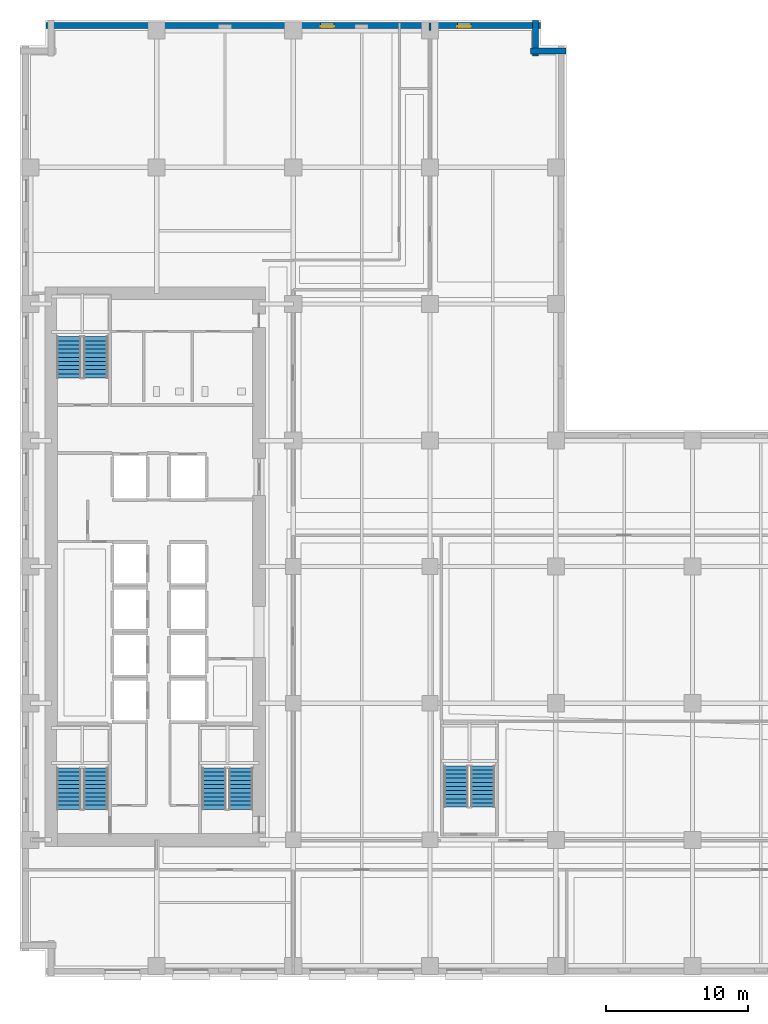
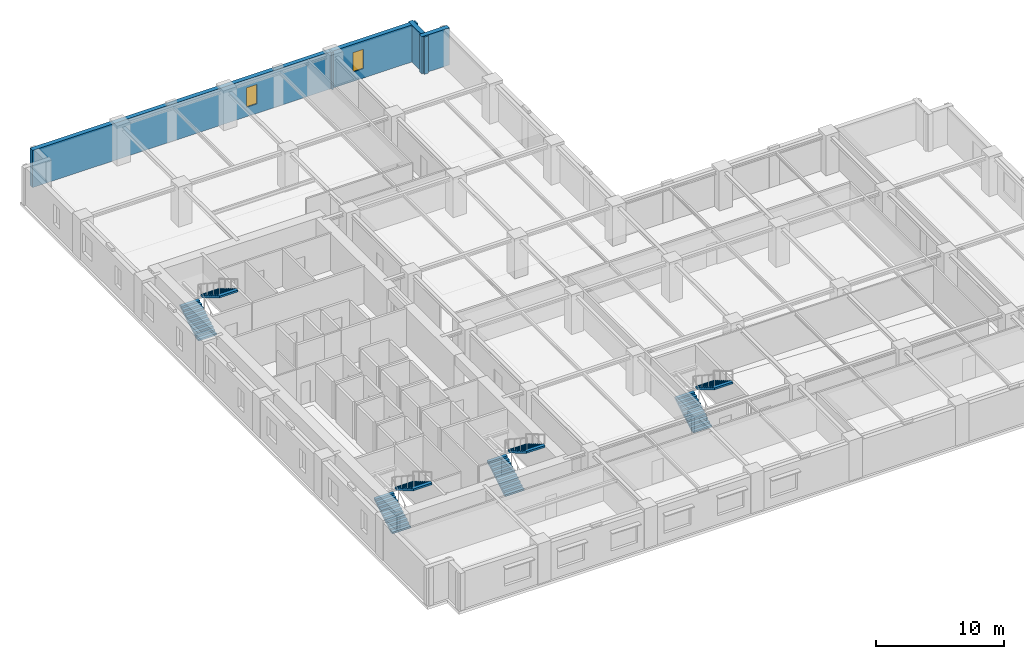
# One storey, part 9 of 14: 8 stair flights, 4 walls, 2 windows, 2 openings, 4 elements without a shape of their own.
"""IFC4 building model written with IfcOpenShell, lengths in metres."""

from ifc_helpers import new_model, si_unit, direction, frame, frame_2d, origin, place, context, subcontext, project, spatial, polyline, rectangle, outline, extrude, material, layer, layer_set, type_object, element, fill, aggregate, save


model = new_model("IFC4")

# Units and contexts
model_context = context("Model", 3, precision=1e-05, world=origin(), true_north=direction((0.0, 1.0)))
body_context = subcontext(model_context, "Body", "Model", "MODEL_VIEW")
ifc_project = project(units=[si_unit("LENGTHUNIT", "METRE"), si_unit("AREAUNIT", "SQUARE_METRE"), si_unit("VOLUMEUNIT", "CUBIC_METRE"), si_unit("PLANEANGLEUNIT", "RADIAN"), si_unit("MASSUNIT", "GRAM", prefix="KILO")], contexts=[model_context])

# Site, building, storey
site_placement = place(None, origin())
site = spatial("IfcSite", under=ifc_project, at=site_placement, CompositionType="ELEMENT")
building_placement = place(site_placement, origin())
building = spatial("IfcBuilding", under=site, at=building_placement, Name="Norrvale University Quadrangle", CompositionType="ELEMENT")
storey_placement = place(building_placement, frame((0.0, 0.0, 50.800048828125)))
storey = spatial("IfcBuildingStorey", under=building, at=storey_placement, Name="L12", CompositionType="ELEMENT", Elevation=50.800048828125)

# Walls
ifc_material_1 = material(Name="Fire-Rated Gypsum Stud Partition")
ifc_layer_1 = layer(ifc_material_1, 0.14990234375, Name="Fire-Rated Gypsum Stud Partition")
ifc_layer_set_1 = layer_set([ifc_layer_1], Name="Fire-Rated Gypsum Stud Partition")
wall_type_1 = type_object("IfcWallType", Name="Wall Gypsum Corridor 150", PredefinedType="PARTITIONING", material=ifc_layer_set_1)
wall_1_placement = place(storey_placement, frame((28.800048828125, 66.449951171875, 0.0), z_axis=(0.0, 0.0, 1.0), x_axis=(0.0, 1.0, 0.0)))
element("IfcWall", 1, at=wall_1_placement, inside=storey, type_object=wall_type_1, Name="Interior Partition WL-L12-NECW-B2", PredefinedType="PARTITIONING", context=body_context, shape_type="SweptSolid", body=[
    extrude(rectangle(XDim=0.530029296875, YDim=0.14990234375, at=frame_2d((0.26513671875, 0.0))), origin(), (0.0, 0.0, 1.0), 3.5400390625),
])
ifc_material_2 = material(Name="Red Manganese Brick Masonry", Category="masonry")
ifc_layer_2 = layer(ifc_material_2, 0.39990234375, Name="Red Manganese Brick Masonry")
ifc_layer_set_2 = layer_set([ifc_layer_2], Name="Red Manganese Brick Masonry")
wall_type_2 = type_object("IfcWallType", Name="Wall Red Brick 400", PredefinedType="SOLIDWALL", material=ifc_layer_set_2)
wall_2_placement = place(storey_placement, frame((38.360107421875, 65.02001953125, 0.0), z_axis=(0.0, 0.0, 1.0), x_axis=(-1.0, 0.0, 0.0)))
element("IfcWall", 2, at=wall_2_placement, inside=storey, type_object=wall_type_2, Name="Exterior Brick Facade Wall L12-09.1", PredefinedType="SOLIDWALL", context=body_context, shape_type="SweptSolid", body=[
    extrude(rectangle(XDim=2.480224609375, YDim=0.39990234375, at=frame_2d((1.240234375, 0.0))), origin(), (0.0, 0.0, 1.0), 3.5400390625),
])
wall_3_placement = place(storey_placement, frame((36.219970703125, 64.679931640625, 0.0), z_axis=(0.0, 0.0, 1.0), x_axis=(0.0, 1.0, 0.0)))
element("IfcWall", 3, at=wall_3_placement, inside=storey, type_object=wall_type_2, Name="Exterior Brick Facade Wall L12-10.1", PredefinedType="SOLIDWALL", context=body_context, shape_type="SweptSolid", body=[
    extrude(rectangle(XDim=2.47998046875, YDim=0.39990234375, at=frame_2d((1.239990234375, 0.0))), origin(), (0.0, 0.0, 1.0), 3.5400390625),
])

# Wall, openings, windows
wall_4_placement = place(storey_placement, frame((36.56005859375, 66.820068359375, 0.0), z_axis=(0.0, 0.0, 1.0), x_axis=(-1.0, 0.0, 0.0)))
wall_4 = element("IfcWall", 4, at=wall_4_placement, inside=storey, type_object=wall_type_2, Name="Exterior Brick Facade Wall L12-11.1", PredefinedType="SOLIDWALL", context=body_context, shape_type="SweptSolid", body=[
    extrude(rectangle(XDim=34.719970703125, YDim=0.39990234375, at=frame_2d((17.35986328125, 0.0))), origin(), (0.0, 0.0, 1.0), 3.5400390625),
])
opening_1_placement = place(wall_4_placement, frame((4.885009765625, 0.0, 0.89990234375)))
opening_1 = element("IfcOpeningElement", 5, at=opening_1_placement, cuts=wall_4, Name="Opening W04", PredefinedType="OPENING", context=body_context, shape_type="SweptSolid", body=[
    extrude(rectangle(XDim=0.949951171875, YDim=1.85009765625, at=frame_2d((0.47509765625, 0.925048828125))), frame((0.0, 0.2119140625, 0.0), z_axis=(0.0, -1.0, 0.0), x_axis=(1.0, 0.0, 0.0)), (0.0, 0.0, 1.0), 0.423828125),
])
opening_2_placement = place(wall_4_placement, frame((14.485107421875, 0.0, 0.89990234375)))
opening_2 = element("IfcOpeningElement", 6, at=opening_2_placement, cuts=wall_4, Name="Opening W04", PredefinedType="OPENING", context=body_context, shape_type="SweptSolid", body=[
    extrude(rectangle(XDim=0.949951171875, YDim=1.85009765625, at=frame_2d((0.47509765625, 0.925048828125))), frame((0.0, 0.2119140625, 0.0), z_axis=(0.0, -1.0, 0.0), x_axis=(1.0, 0.0, 0.0)), (0.0, 0.0, 1.0), 0.423828125),
])
ifc_material_3 = material(Name="Triple Low-E Argon Glazing", Category="glass")
window_type = type_object("IfcWindowType", Name="Window Narrow Pier 950x2300", PartitioningType="SINGLE_PANEL", PredefinedType="WINDOW", material=ifc_material_3)
window_1_placement = place(opening_1_placement, origin())
window_1 = element("IfcWindow", 7, at=window_1_placement, inside=storey, type_object=window_type, Name="Window Narrow Pier 950x2300 WIN-L12-E11-1-01", OverallHeight=1.85009765625, OverallWidth=0.949951171875, PartitioningType="SINGLE_PANEL", PredefinedType="WINDOW", context=body_context, shape_type="SweptSolid", body=[
    extrude(rectangle(XDim=0.949951171875, YDim=1.85009765625, at=frame_2d((0.47509765625, 0.925048828125))), frame((0.0, 0.110107421875, 0.0), z_axis=(0.0, -1.0, 0.0), x_axis=(1.0, 0.0, 0.0)), (0.0, 0.0, 1.0), 0.06005859375),
])
fill(opening_1, window_1)
window_2_placement = place(opening_2_placement, origin())
window_2 = element("IfcWindow", 8, at=window_2_placement, inside=storey, type_object=window_type, Name="Window Narrow Pier 950x2300 WIN-L12-E11-1-02", OverallHeight=1.85009765625, OverallWidth=0.949951171875, PartitioningType="SINGLE_PANEL", PredefinedType="WINDOW", context=body_context, shape_type="SweptSolid", body=[
    extrude(rectangle(XDim=0.949951171875, YDim=1.85009765625, at=frame_2d((0.47509765625, 0.925048828125))), frame((0.0, 0.110107421875, 0.0), z_axis=(0.0, -1.0, 0.0), x_axis=(1.0, 0.0, 0.0)), (0.0, 0.0, 1.0), 0.06005859375),
])
fill(opening_2, window_2)

# Stair, stair flights
ifc_material_4 = material(Name="Concrete C40/50", Category="concrete")
stair_type = type_object("IfcStairType", Name="Stair Tower Typ 3800", PredefinedType="TWO_STRAIGHT_RUN_STAIR", material=ifc_material_4)
stair_1_placement = place(storey_placement, origin())
stair_1 = element("IfcStair", 9, at=stair_1_placement, inside=storey, type_object=stair_type, Name="Exit Stair ST-01 L12", PredefinedType="TWO_STRAIGHT_RUN_STAIR")
stair_flight_type = type_object("IfcStairFlightType", Name="Flight Typ 1500", PredefinedType="STRAIGHT", material=ifc_material_4)
stair_flight_1_placement = place(storey_placement, frame((3.429931640625, 11.75, 0.0), z_axis=(0.0, 0.0, 1.0), x_axis=(0.0, 1.0, 0.0)))
stair_flight_1 = element("IfcStairFlight", 10, at=stair_flight_1_placement, type_object=stair_flight_type, Name="Exit Stair ST-01 L12 Lower Flight", NumberOfRisers=11, NumberOfTreads=10, PredefinedType="STRAIGHT", RiserHeight=0.172727, TreadLength=0.29, context=body_context, shape_type="SweptSolid", body=[
    extrude(outline(polyline([(0.0, 0.0), (0.0, 0.172607421875), (0.2900390625, 0.172607421875), (0.2900390625, 0.345458984375), (0.580078125, 0.345458984375), (0.580078125, 0.51806640625), (0.8701171875, 0.51806640625), (0.8701171875, 0.69091796875), (1.159912109375, 0.69091796875), (1.159912109375, 0.863525390625), (1.449951171875, 0.863525390625), (1.449951171875, 1.036376953125), (1.739990234375, 1.036376953125), (1.739990234375, 1.208984375), (2.030029296875, 1.208984375), (2.030029296875, 1.3818359375), (2.320068359375, 1.3818359375), (2.320068359375, 1.554443359375), (2.610107421875, 1.554443359375), (2.610107421875, 1.727294921875), (2.89990234375, 1.727294921875), (2.89990234375, 1.89990234375), (2.89990234375, 1.552734375), (0.29296875, 0.0), (0.0, 0.0)])), frame((0.0, 0.83984375, 0.0), z_axis=(0.0, -1.0, 0.0), x_axis=(1.0, 0.0, 0.0)), (0.0, 0.0, 1.0), 1.679931640625),
])
stair_flight_2_placement = place(storey_placement, frame((5.320068359375, 14.64990234375, 1.89990234375), z_axis=(0.0, 0.0, 1.0), x_axis=(0.0, -1.0, 0.0)))
stair_flight_2 = element("IfcStairFlight", 11, at=stair_flight_2_placement, type_object=stair_flight_type, Name="Exit Stair ST-01 L12 Upper Flight", NumberOfRisers=11, NumberOfTreads=10, PredefinedType="STRAIGHT", RiserHeight=0.172727, TreadLength=0.29, context=body_context, shape_type="SweptSolid", body=[
    extrude(outline(polyline([(0.0, 0.0), (0.0, 0.172607421875), (0.2900390625, 0.172607421875), (0.2900390625, 0.345458984375), (0.580078125, 0.345458984375), (0.580078125, 0.51806640625), (0.8701171875, 0.51806640625), (0.8701171875, 0.69091796875), (1.159912109375, 0.69091796875), (1.159912109375, 0.863525390625), (1.449951171875, 0.863525390625), (1.449951171875, 1.036376953125), (1.739990234375, 1.036376953125), (1.739990234375, 1.208984375), (2.030029296875, 1.208984375), (2.030029296875, 1.3818359375), (2.320068359375, 1.3818359375), (2.320068359375, 1.554443359375), (2.610107421875, 1.554443359375), (2.610107421875, 1.727294921875), (2.89990234375, 1.727294921875), (2.89990234375, 1.89990234375), (2.89990234375, 1.552734375), (0.29296875, 0.0), (0.0, 0.0)])), frame((0.0, 0.83984375, 0.0), z_axis=(0.0, -1.0, 0.0), x_axis=(1.0, 0.0, 0.0)), (0.0, 0.0, 1.0), 1.679931640625),
])
aggregate(stair_1, [stair_flight_1, stair_flight_2])

stair_2_placement = place(storey_placement, origin())
stair_2 = element("IfcStair", 12, at=stair_2_placement, inside=storey, type_object=stair_type, Name="Exit Stair ST-02 L12", PredefinedType="TWO_STRAIGHT_RUN_STAIR")
stair_flight_3_placement = place(storey_placement, frame((3.429931640625, 42.050048828125, 0.0), z_axis=(0.0, 0.0, 1.0), x_axis=(0.0, 1.0, 0.0)))
stair_flight_3 = element("IfcStairFlight", 13, at=stair_flight_3_placement, type_object=stair_flight_type, Name="Exit Stair ST-02 L12 Lower Flight", NumberOfRisers=11, NumberOfTreads=10, PredefinedType="STRAIGHT", RiserHeight=0.172727, TreadLength=0.29, context=body_context, shape_type="SweptSolid", body=[
    extrude(outline(polyline([(0.0, 0.0), (0.0, 0.172607421875), (0.2900390625, 0.172607421875), (0.2900390625, 0.345458984375), (0.580078125, 0.345458984375), (0.580078125, 0.51806640625), (0.8701171875, 0.51806640625), (0.8701171875, 0.69091796875), (1.159912109375, 0.69091796875), (1.159912109375, 0.863525390625), (1.449951171875, 0.863525390625), (1.449951171875, 1.036376953125), (1.739990234375, 1.036376953125), (1.739990234375, 1.208984375), (2.030029296875, 1.208984375), (2.030029296875, 1.3818359375), (2.320068359375, 1.3818359375), (2.320068359375, 1.554443359375), (2.610107421875, 1.554443359375), (2.610107421875, 1.727294921875), (2.89990234375, 1.727294921875), (2.89990234375, 1.89990234375), (2.89990234375, 1.552734375), (0.29296875, 0.0), (0.0, 0.0)])), frame((0.0, 0.83984375, 0.0), z_axis=(0.0, -1.0, 0.0), x_axis=(1.0, 0.0, 0.0)), (0.0, 0.0, 1.0), 1.679931640625),
])
stair_flight_4_placement = place(storey_placement, frame((5.320068359375, 44.949951171875, 1.89990234375), z_axis=(0.0, 0.0, 1.0), x_axis=(0.0, -1.0, 0.0)))
stair_flight_4 = element("IfcStairFlight", 14, at=stair_flight_4_placement, type_object=stair_flight_type, Name="Exit Stair ST-02 L12 Upper Flight", NumberOfRisers=11, NumberOfTreads=10, PredefinedType="STRAIGHT", RiserHeight=0.172727, TreadLength=0.29, context=body_context, shape_type="SweptSolid", body=[
    extrude(outline(polyline([(0.0, 0.0), (0.0, 0.172607421875), (0.2900390625, 0.172607421875), (0.2900390625, 0.345458984375), (0.580078125, 0.345458984375), (0.580078125, 0.51806640625), (0.8701171875, 0.51806640625), (0.8701171875, 0.69091796875), (1.159912109375, 0.69091796875), (1.159912109375, 0.863525390625), (1.449951171875, 0.863525390625), (1.449951171875, 1.036376953125), (1.739990234375, 1.036376953125), (1.739990234375, 1.208984375), (2.030029296875, 1.208984375), (2.030029296875, 1.3818359375), (2.320068359375, 1.3818359375), (2.320068359375, 1.554443359375), (2.610107421875, 1.554443359375), (2.610107421875, 1.727294921875), (2.89990234375, 1.727294921875), (2.89990234375, 1.89990234375), (2.89990234375, 1.552734375), (0.29296875, 0.0), (0.0, 0.0)])), frame((0.0, 0.83984375, 0.0), z_axis=(0.0, -1.0, 0.0), x_axis=(1.0, 0.0, 0.0)), (0.0, 0.0, 1.0), 1.679931640625),
])
aggregate(stair_2, [stair_flight_3, stair_flight_4])

stair_3_placement = place(storey_placement, origin())
stair_3 = element("IfcStair", 15, at=stair_3_placement, inside=storey, type_object=stair_type, Name="Exit Stair ST-03 L12", PredefinedType="TWO_STRAIGHT_RUN_STAIR")
stair_flight_5_placement = place(storey_placement, frame((13.6298828125, 11.75, 0.0), z_axis=(0.0, 0.0, 1.0), x_axis=(0.0, 1.0, 0.0)))
stair_flight_5 = element("IfcStairFlight", 16, at=stair_flight_5_placement, type_object=stair_flight_type, Name="Exit Stair ST-03 L12 Lower Flight", NumberOfRisers=11, NumberOfTreads=10, PredefinedType="STRAIGHT", RiserHeight=0.172727, TreadLength=0.29, context=body_context, shape_type="SweptSolid", body=[
    extrude(outline(polyline([(0.0, 0.0), (0.0, 0.172607421875), (0.2900390625, 0.172607421875), (0.2900390625, 0.345458984375), (0.580078125, 0.345458984375), (0.580078125, 0.51806640625), (0.8701171875, 0.51806640625), (0.8701171875, 0.69091796875), (1.159912109375, 0.69091796875), (1.159912109375, 0.863525390625), (1.449951171875, 0.863525390625), (1.449951171875, 1.036376953125), (1.739990234375, 1.036376953125), (1.739990234375, 1.208984375), (2.030029296875, 1.208984375), (2.030029296875, 1.3818359375), (2.320068359375, 1.3818359375), (2.320068359375, 1.554443359375), (2.610107421875, 1.554443359375), (2.610107421875, 1.727294921875), (2.89990234375, 1.727294921875), (2.89990234375, 1.89990234375), (2.89990234375, 1.552734375), (0.29296875, 0.0), (0.0, 0.0)])), frame((0.0, 0.83984375, 0.0), z_axis=(0.0, -1.0, 0.0), x_axis=(1.0, 0.0, 0.0)), (0.0, 0.0, 1.0), 1.679931640625),
])
stair_flight_6_placement = place(storey_placement, frame((15.52001953125, 14.64990234375, 1.89990234375), z_axis=(0.0, 0.0, 1.0), x_axis=(0.0, -1.0, 0.0)))
stair_flight_6 = element("IfcStairFlight", 17, at=stair_flight_6_placement, type_object=stair_flight_type, Name="Exit Stair ST-03 L12 Upper Flight", NumberOfRisers=11, NumberOfTreads=10, PredefinedType="STRAIGHT", RiserHeight=0.172727, TreadLength=0.29, context=body_context, shape_type="SweptSolid", body=[
    extrude(outline(polyline([(0.0, 0.0), (0.0, 0.172607421875), (0.2900390625, 0.172607421875), (0.2900390625, 0.345458984375), (0.580078125, 0.345458984375), (0.580078125, 0.51806640625), (0.8701171875, 0.51806640625), (0.8701171875, 0.69091796875), (1.159912109375, 0.69091796875), (1.159912109375, 0.863525390625), (1.449951171875, 0.863525390625), (1.449951171875, 1.036376953125), (1.739990234375, 1.036376953125), (1.739990234375, 1.208984375), (2.030029296875, 1.208984375), (2.030029296875, 1.3818359375), (2.320068359375, 1.3818359375), (2.320068359375, 1.554443359375), (2.610107421875, 1.554443359375), (2.610107421875, 1.727294921875), (2.89990234375, 1.727294921875), (2.89990234375, 1.89990234375), (2.89990234375, 1.552734375), (0.29296875, 0.0), (0.0, 0.0)])), frame((0.0, 0.83984375, 0.0), z_axis=(0.0, -1.0, 0.0), x_axis=(1.0, 0.0, 0.0)), (0.0, 0.0, 1.0), 1.679931640625),
])
aggregate(stair_3, [stair_flight_5, stair_flight_6])

stair_4_placement = place(storey_placement, origin())
stair_4 = element("IfcStair", 18, at=stair_4_placement, inside=storey, type_object=stair_type, Name="Exit Stair ST-04 L12", PredefinedType="TWO_STRAIGHT_RUN_STAIR")
stair_flight_7_placement = place(storey_placement, frame((30.6298828125, 11.89990234375, 0.0), z_axis=(0.0, 0.0, 1.0), x_axis=(0.0, 1.0, 0.0)))
stair_flight_7 = element("IfcStairFlight", 19, at=stair_flight_7_placement, type_object=stair_flight_type, Name="Exit Stair ST-04 L12 Lower Flight", NumberOfRisers=11, NumberOfTreads=10, PredefinedType="STRAIGHT", RiserHeight=0.172727, TreadLength=0.29, context=body_context, shape_type="SweptSolid", body=[
    extrude(outline(polyline([(0.0, 0.0), (0.0, 0.172607421875), (0.2900390625, 0.172607421875), (0.2900390625, 0.345458984375), (0.580078125, 0.345458984375), (0.580078125, 0.51806640625), (0.8701171875, 0.51806640625), (0.8701171875, 0.69091796875), (1.159912109375, 0.69091796875), (1.159912109375, 0.863525390625), (1.449951171875, 0.863525390625), (1.449951171875, 1.036376953125), (1.739990234375, 1.036376953125), (1.739990234375, 1.208984375), (2.030029296875, 1.208984375), (2.030029296875, 1.3818359375), (2.320068359375, 1.3818359375), (2.320068359375, 1.554443359375), (2.610107421875, 1.554443359375), (2.610107421875, 1.727294921875), (2.89990234375, 1.727294921875), (2.89990234375, 1.89990234375), (2.89990234375, 1.552734375), (0.29296875, 0.0), (0.0, 0.0)])), frame((0.0, 0.83984375, 0.0), z_axis=(0.0, -1.0, 0.0), x_axis=(1.0, 0.0, 0.0)), (0.0, 0.0, 1.0), 1.679931640625),
])
stair_flight_8_placement = place(storey_placement, frame((32.52001953125, 14.800048828125, 1.89990234375), z_axis=(0.0, 0.0, 1.0), x_axis=(0.0, -1.0, 0.0)))
stair_flight_8 = element("IfcStairFlight", 20, at=stair_flight_8_placement, type_object=stair_flight_type, Name="Exit Stair ST-04 L12 Upper Flight", NumberOfRisers=11, NumberOfTreads=10, PredefinedType="STRAIGHT", RiserHeight=0.172727, TreadLength=0.29, context=body_context, shape_type="SweptSolid", body=[
    extrude(outline(polyline([(0.0, 0.0), (0.0, 0.172607421875), (0.2900390625, 0.172607421875), (0.2900390625, 0.345458984375), (0.580078125, 0.345458984375), (0.580078125, 0.51806640625), (0.8701171875, 0.51806640625), (0.8701171875, 0.69091796875), (1.159912109375, 0.69091796875), (1.159912109375, 0.863525390625), (1.449951171875, 0.863525390625), (1.449951171875, 1.036376953125), (1.739990234375, 1.036376953125), (1.739990234375, 1.208984375), (2.030029296875, 1.208984375), (2.030029296875, 1.3818359375), (2.320068359375, 1.3818359375), (2.320068359375, 1.554443359375), (2.610107421875, 1.554443359375), (2.610107421875, 1.727294921875), (2.89990234375, 1.727294921875), (2.89990234375, 1.89990234375), (2.89990234375, 1.552734375), (0.29296875, 0.0), (0.0, 0.0)])), frame((0.0, 0.83984375, 0.0), z_axis=(0.0, -1.0, 0.0), x_axis=(1.0, 0.0, 0.0)), (0.0, 0.0, 1.0), 1.679931640625),
])
aggregate(stair_4, [stair_flight_7, stair_flight_8])

save(model, "model.ifc")
